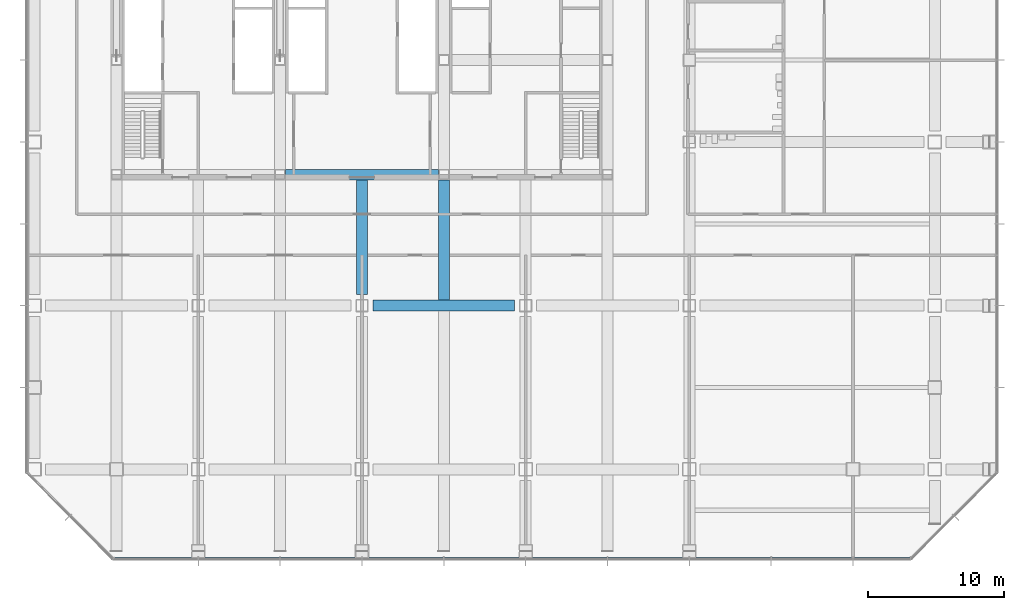
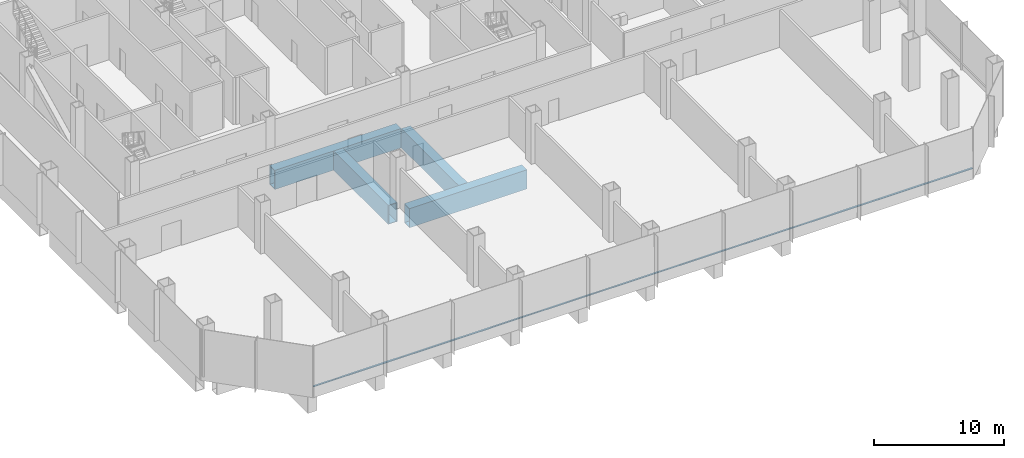
# One storey, part 7 of 34: 4 beams, 1 member, 1 element without a shape of its own.
"""IFC4 building model written with IfcOpenShell, lengths in metres."""

from ifc_helpers import new_model, si_unit, direction, frame, origin, origin_2d, place, context, subcontext, project, spatial, rectangle, hollow_rectangle, extrude, material, material_profile, profile_set, type_object, element, aggregate, save


model = new_model("IFC4")

# Units and contexts
model_context = context("Model", 3, precision=1e-05, world=origin(), true_north=direction((0.0, 1.0)))
body_context = subcontext(model_context, "Body", "Model", "MODEL_VIEW")
ifc_project = project(units=[si_unit("LENGTHUNIT", "METRE"), si_unit("AREAUNIT", "SQUARE_METRE"), si_unit("VOLUMEUNIT", "CUBIC_METRE"), si_unit("PLANEANGLEUNIT", "RADIAN"), si_unit("MASSUNIT", "GRAM", prefix="KILO")], contexts=[model_context])

# Site, building, storey
site_placement = place(None, origin())
site = spatial("IfcSite", under=ifc_project, at=site_placement, CompositionType="ELEMENT")
building_placement = place(site_placement, origin())
building = spatial("IfcBuilding", under=site, at=building_placement, Name="Sorahane Residences", CompositionType="ELEMENT")
storey_placement = place(building_placement, frame((0.0, 0.0, 20.39990234375)))
storey = spatial("IfcBuildingStorey", under=building, at=storey_placement, Name="L02", CompositionType="ELEMENT", Elevation=20.39990234375)

# Curtain wall, member
ifc_material_1 = material(Name="Dark low-e glass and black anodised aluminium", Category="aluminium")
curtain_wall_type = type_object("IfcCurtainWallType", Name="Curtain wall CW-3 Podium unitised wall", PredefinedType="NOTDEFINED", material=ifc_material_1)
curtain_wall_placement = place(storey_placement, origin())
curtain_wall = element("IfcCurtainWall", 1, at=curtain_wall_placement, inside=storey, type_object=curtain_wall_type, Name="CW-3 curtain wall L02 S1", PredefinedType="NOTDEFINED")
ifc_material_2 = material(Name="Black anodised aluminium", Category="aluminium")
ifc_material_profile_1 = material_profile(ifc_material_2, rectangle(XDim=0.10009765625, YDim=0.06005859375, at=origin_2d()), Name="Curtain wall transom CW-3 black anodised aluminium 60x100")
ifc_profile_set_1 = profile_set([ifc_material_profile_1], Name="Black anodised aluminium")
member_type = type_object("IfcMemberType", Name="Curtain wall transom CW-3 black anodised aluminium 60x100", PredefinedType="USERDEFINED", material=ifc_profile_set_1)
member_placement = place(storey_placement, frame((5.801513671875, -6.530029296875, 0.60009765625), z_axis=(1.0, 0.0, 0.0), x_axis=(0.0, 1.0, 0.0)))
member = element("IfcMember", 2, at=member_placement, type_object=member_type, Name="CW-3 transom L02 S1", ObjectType="TRANSOM", PredefinedType="USERDEFINED", context=body_context, shape_type="SweptSolid", body=[
    extrude(rectangle(XDim=0.10009765625, YDim=0.06005859375, at=origin_2d()), origin(), (0.0, 0.0, 1.0), 58.39697265625),
])
aggregate(curtain_wall, [member])

# Beams
ifc_material_3 = material(Name="Steel Q420GJ", Category="steel")
ifc_material_profile_2 = material_profile(ifc_material_3, hollow_rectangle(XDim=0.800048828125, YDim=1.800048828125, WallThickness=0.050048828125, at=origin_2d()), Name="BOX 1800x800x50")
ifc_profile_set_2 = profile_set([ifc_material_profile_2], Name="Steel Q420GJ")
beam_type = type_object("IfcBeamType", Name="Steel transfer girder BOX 1800x800x50 Q420GJ", PredefinedType="BEAM", material=ifc_profile_set_2)
beam_1_placement = place(storey_placement, frame((24.800048828125, 12.0, -1.2998046875), z_axis=(1.0, 0.0, 0.0), x_axis=(0.0, 1.0, 0.0)))
element("IfcBeam", 3, at=beam_1_placement, inside=storey, type_object=beam_type, Name="Beam L02 008", PredefinedType="BEAM", context=body_context, shape_type="SweptSolid", body=[
    extrude(hollow_rectangle(XDim=0.800048828125, YDim=1.800048828125, WallThickness=0.050048828125, at=origin_2d()), origin(), (0.0, 0.0, 1.0), 10.39990234375),
])
beam_2_placement = place(storey_placement, frame((18.39990234375, 21.60009765625, -1.2998046875), z_axis=(1.0, 0.0, 0.0), x_axis=(0.0, 1.0, 0.0)))
element("IfcBeam", 4, at=beam_2_placement, inside=storey, type_object=beam_type, Name="Beam L02 022", PredefinedType="BEAM", context=body_context, shape_type="SweptSolid", body=[
    extrude(hollow_rectangle(XDim=0.800048828125, YDim=1.800048828125, WallThickness=0.050048828125, at=origin_2d()), origin(), (0.0, 0.0, 1.0), 11.2001953125),
])
beam_3_placement = place(storey_placement, frame((24.0, 12.800048828125, -1.2998046875), z_axis=(0.0, 1.0, 0.0), x_axis=(-1.0, 0.0, 0.0)))
element("IfcBeam", 5, at=beam_3_placement, inside=storey, type_object=beam_type, Name="Beam L02 039", PredefinedType="BEAM", context=body_context, shape_type="SweptSolid", body=[
    extrude(hollow_rectangle(XDim=0.800048828125, YDim=1.800048828125, WallThickness=0.050048828125, at=origin_2d()), origin(), (0.0, 0.0, 1.0), 8.39990234375),
])
beam_4_placement = place(storey_placement, frame((30.0, 12.39990234375, -1.2998046875), z_axis=(0.0, 1.0, 0.0), x_axis=(-1.0, 0.0, 0.0)))
element("IfcBeam", 6, at=beam_4_placement, inside=storey, type_object=beam_type, Name="Beam L02 068", PredefinedType="BEAM", context=body_context, shape_type="SweptSolid", body=[
    extrude(hollow_rectangle(XDim=0.800048828125, YDim=1.800048828125, WallThickness=0.050048828125, at=origin_2d()), origin(), (0.0, 0.0, 1.0), 8.800048828125),
])

save(model, "model.ifc")
